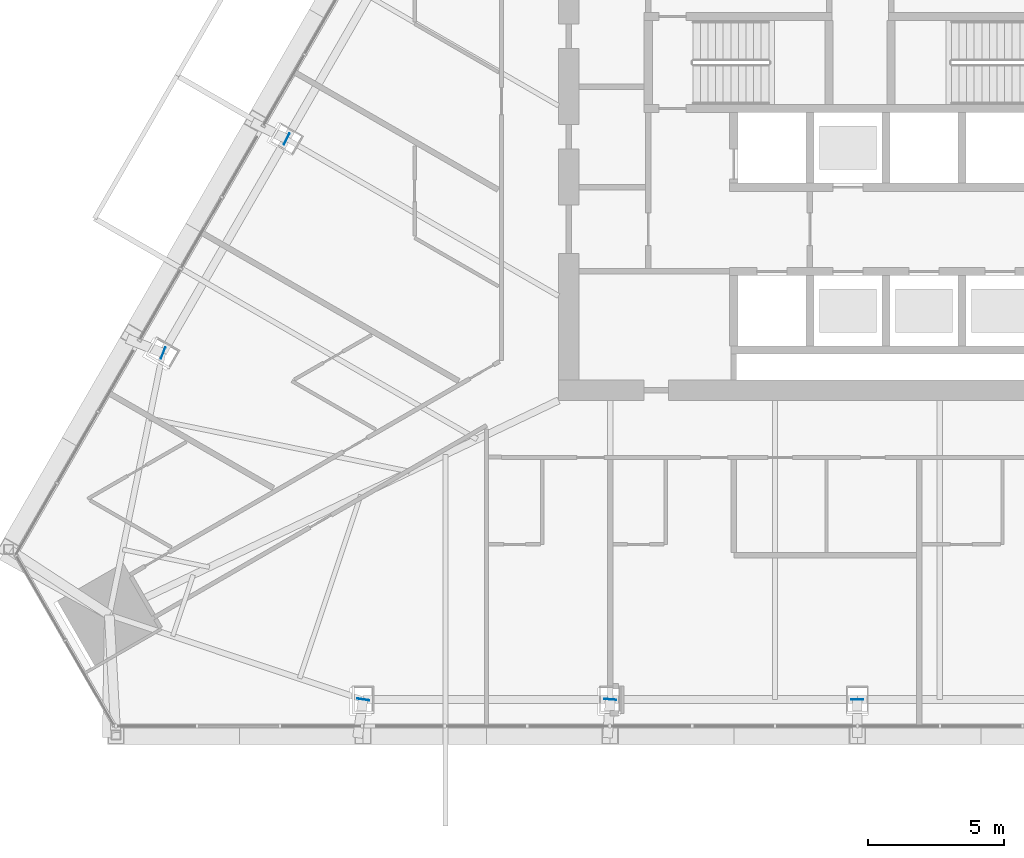
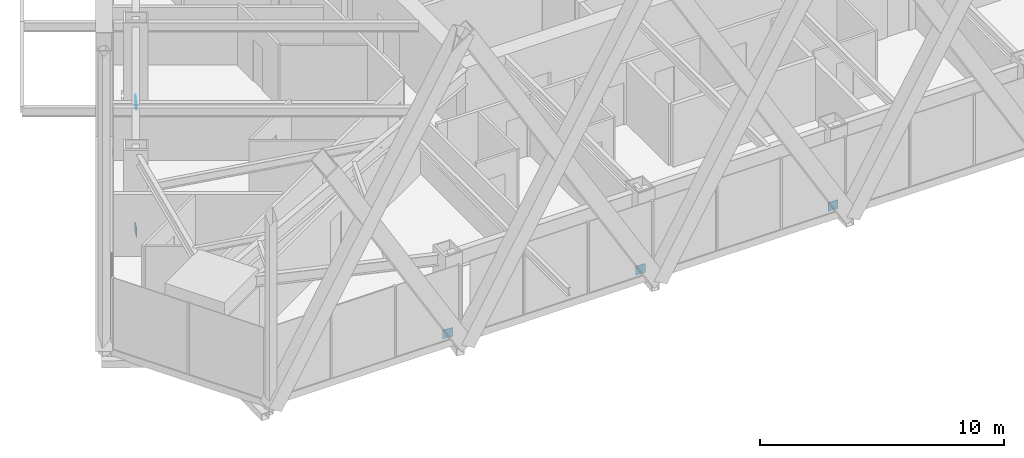
# One storey, part 21 of 26: 5 discrete accessories.
"""IFC4 building model written with IfcOpenShell, lengths in metres."""

from ifc_helpers import new_model, si_unit, direction, frame, origin, origin_2d, place, context, subcontext, project, spatial, rectangle, extrude, material, layer, layer_set, type_object, element, save


model = new_model("IFC4")

# Units and contexts
model_context = context("Model", 3, precision=1e-05, world=origin(), true_north=direction((0.0, 1.0)))
body_context = subcontext(model_context, "Body", "Model", "MODEL_VIEW")
ifc_project = project(units=[si_unit("LENGTHUNIT", "METRE"), si_unit("AREAUNIT", "SQUARE_METRE"), si_unit("VOLUMEUNIT", "CUBIC_METRE"), si_unit("PLANEANGLEUNIT", "RADIAN"), si_unit("MASSUNIT", "GRAM", prefix="KILO")], contexts=[model_context])

# Site, building, storey
site_placement = place(None, origin())
site = spatial("IfcSite", under=ifc_project, at=site_placement, CompositionType="ELEMENT")
building_placement = place(site_placement, origin())
building = spatial("IfcBuilding", under=site, at=building_placement, Name="Firuza Gate Tower and Library", CompositionType="ELEMENT")
storey_placement = place(building_placement, frame((0.0, 0.0, 155.800048828125)))
storey = spatial("IfcBuildingStorey", under=building, at=storey_placement, Name="L35", CompositionType="ELEMENT", Elevation=155.800048828125)

# Discrete accessories
ifc_material = material(Name="Steel S355", Category="steel")
ifc_layer = layer(ifc_material, 0.02001953125)
ifc_layer_set = layer_set([ifc_layer], Name="Tie end plate 450x450x20 Steel S355")
discrete_accessory_type = type_object("IfcDiscreteAccessoryType", Name="Tie end plate 450x450x20 Steel S355", PredefinedType="BRACKET", material=ifc_layer_set)
for number, where, z_axis, x_axis, name in (
    (1, (56.801513671875, 55.9912109375, -0.56298828125), (0.0, 0.0, 1.0), (0.142307907596, 0.989822438337, 0.0), "Tie end plate"),
    (2, (65.900634765625, 55.991455078125, -0.56298828125), (0.0, 0.0, 1.0), (0.071700514469, 0.997426205904, 0.0), "Tie end plate"),
    (3, (75.0, 55.991455078125, -0.56298828125), (0.0, 0.0, 1.0), (0.0, 1.0, 0.0), "Tie end plate"),
    (4, (49.438720703125, 68.743896484375, -0.56298828125), (0.0, 0.0, 1.0), (0.928365389015, -0.371668810204, 0.0), "Tie end plate"),
    (5, (53.988525390625, 76.6240234375, -0.56298828125), (0.0, 0.0, 1.0), (0.899646796634, -0.436618416133, 0.0), "Tie end plate"),
):
    element("IfcDiscreteAccessory", number, at=place(storey_placement, frame(where, z_axis=z_axis, x_axis=x_axis)), inside=storey, type_object=discrete_accessory_type, Name=name, PredefinedType="BRACKET", context=body_context, shape_type="SweptSolid", body=[
        extrude(rectangle(XDim=0.02001953125, YDim=0.446044921875, at=origin_2d()), origin(), (0.0, 0.0, 1.0), 0.446044921875),
    ])

save(model, "model.ifc")
